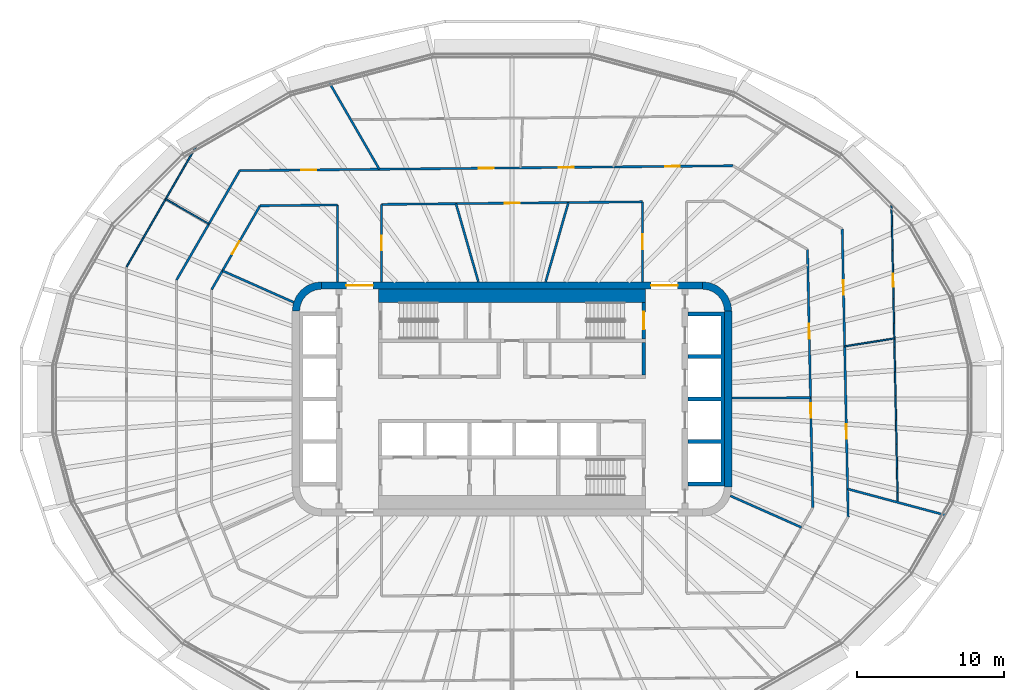
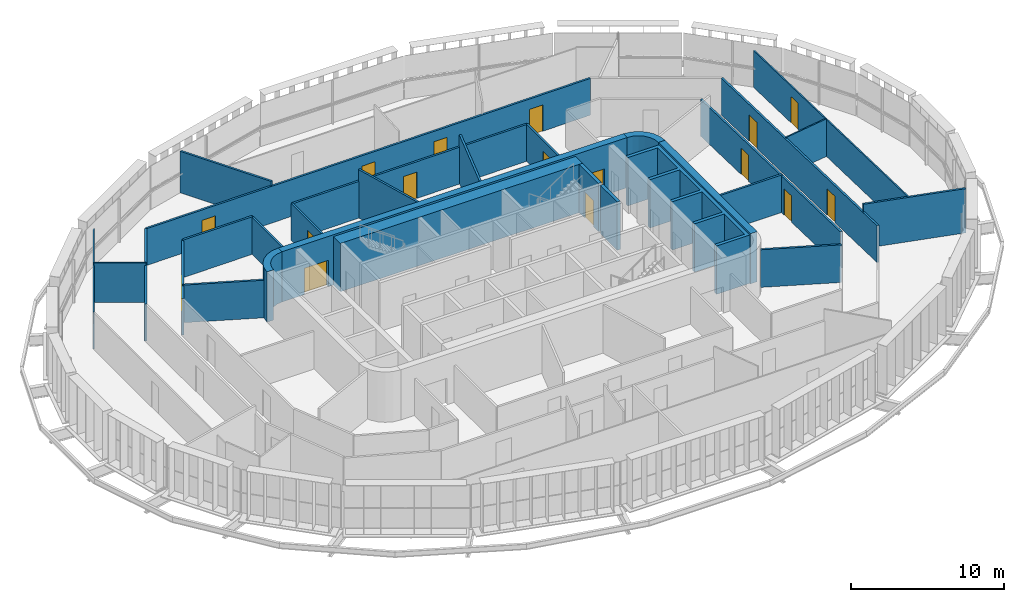
# One storey, part 14 of 23: 29 walls, 16 doors, 16 openings.
"""IFC4 building model written with IfcOpenShell, lengths in metres."""

import ifcopenshell
import ifcopenshell.guid

model = None  # the IFC model being written
_history = None  # IfcOwnerHistory: only IFC2X3 demands one
_inside = {}  # id of a spatial element -> (the spatial element, [elements in it])
_under = {}  # id of a project, library or spatial element -> (it, [spatial elements below it])
_declared = {}  # id of a project -> (the project, [libraries it declares])
_typed = {}  # id of a type object -> (the type object, [elements of that type])
_made_of = {}  # id of a material, layer set ... -> (it, [elements and type objects made of it])


def new_model(schema):
    """Start an empty IFC model of exactly this schema.

    Asked for "IFC4X3", IfcOpenShell would pick the latest addendum, in which some entities
    have other attributes; the version numbers below select the first issue.
    IFC2X3 requires an IfcOwnerHistory on every rooted entity: one is made here for all.
    """
    global model, _history
    if schema == "IFC4X3":
        model = ifcopenshell.file(schema_version=(4, 3, 0, 0))
    else:
        model = ifcopenshell.file(schema=schema)
    _inside.clear()
    _under.clear()
    _declared.clear()
    _typed.clear()
    _made_of.clear()
    _history = None
    if model.schema == "IFC2X3":
        org = make("IfcOrganization", Name="unknown")
        user = make(
            "IfcPersonAndOrganization",
            ThePerson=make("IfcPerson", FamilyName="unknown"),
            TheOrganization=org,
        )
        app = make(
            "IfcApplication",
            ApplicationDeveloper=org,
            Version="unknown",
            ApplicationFullName="unknown",
            ApplicationIdentifier="unknown",
        )
        _history = make(
            "IfcOwnerHistory",
            OwningUser=user,
            OwningApplication=app,
            ChangeAction="ADDED",
            CreationDate=0,
        )
    return model


def make(cls, **values):
    """One entity of the class cls with the attributes given. An attribute that is None is left unset."""
    return model.create_entity(
        cls, **{name: value for name, value in values.items() if value is not None}
    )


def rooted(cls, **values):
    """An entity with a GlobalId (a new one), such as an element, a storey or a relation."""
    return make(cls, GlobalId=ifcopenshell.guid.new(), OwnerHistory=_history, **values)


def si_unit(unit_type, name, prefix=None):
    """IfcSIUnit, for example si_unit("LENGTHUNIT", "METRE", prefix="MILLI")."""
    return make("IfcSIUnit", UnitType=unit_type, Prefix=prefix, Name=name)


def assignment(units):
    """IfcUnitAssignment: the units of a project."""
    return None if units is None else make("IfcUnitAssignment", Units=units)


def point(xyz):
    """IfcCartesianPoint."""
    return None if xyz is None else make("IfcCartesianPoint", Coordinates=xyz)


def direction(xyz):
    """IfcDirection."""
    return None if xyz is None else make("IfcDirection", DirectionRatios=xyz)


def frame(location, z_axis=None, x_axis=None):
    """IfcAxis2Placement3D, a coordinate frame: its origin and axes. An axis left out is left unset."""
    return make(
        "IfcAxis2Placement3D",
        Location=point(location),
        Axis=direction(z_axis),
        RefDirection=direction(x_axis),
    )


def frame_2d(location, x_axis=None):
    """IfcAxis2Placement2D, a coordinate frame in the plane: its origin and x axis."""
    return make(
        "IfcAxis2Placement2D", Location=point(location), RefDirection=direction(x_axis)
    )


def origin():
    """The frame at (0, 0, 0) with its axes left unset."""
    return frame((0.0, 0.0, 0.0))


def place(relative_to, where):
    """IfcLocalPlacement: puts the frame where relative to a parent placement (None: the world)."""
    return make(
        "IfcLocalPlacement", PlacementRelTo=relative_to, RelativePlacement=where
    )


def context(
    kind, dimensions, precision=None, world=None, true_north=None, identifier=None
):
    """IfcGeometricRepresentationContext, for example the 3D "Model" context."""
    return make(
        "IfcGeometricRepresentationContext",
        ContextIdentifier=identifier,
        ContextType=kind,
        CoordinateSpaceDimension=dimensions,
        Precision=precision,
        WorldCoordinateSystem=world,
        TrueNorth=true_north,
    )


def subcontext(parent, identifier, kind, view, scale=None):
    """IfcGeometricRepresentationSubContext, for example "Body" below "Model"."""
    return make(
        "IfcGeometricRepresentationSubContext",
        ContextIdentifier=identifier,
        ContextType=kind,
        ParentContext=parent,
        TargetScale=scale,
        TargetView=view,
    )


def project(units=None, contexts=None):
    """IfcProject with its units and contexts."""
    return rooted(
        "IfcProject",
        Name="project",
        RepresentationContexts=contexts,
        UnitsInContext=assignment(units),
    )


def spatial(cls, under=None, at=None, **own):
    """A site, building, storey or space (cls), placed at a placement, below another one or the project."""
    s = rooted(cls, ObjectPlacement=at, **own)
    if under is not None:
        _under.setdefault(under.id(), (under, []))[1].append(s)
    return s


def polyline(points):
    """IfcPolyline through the points."""
    return make("IfcPolyline", Points=[point(p) for p in points])


def profile(cls, at=None, kind="AREA", **sizes):
    """A parametric profile (cls). Its sizes go by their IFC names, for example OverallWidth=200.0."""
    return make(cls, ProfileType=kind, Position=at, **sizes)


def rectangle(**sizes):
    """IfcRectangleProfileDef."""
    return profile("IfcRectangleProfileDef", **sizes)


def outline(outer, holes=None, kind="AREA"):
    """IfcArbitraryClosedProfileDef: a profile drawn as a closed curve; with holes, ...WithVoids."""
    if holes is None:
        return make("IfcArbitraryClosedProfileDef", ProfileType=kind, OuterCurve=outer)
    return make(
        "IfcArbitraryProfileDefWithVoids",
        ProfileType=kind,
        OuterCurve=outer,
        InnerCurves=holes,
    )


def extrude(swept, where, along, depth):
    """IfcExtrudedAreaSolid: the profile swept, set in the frame where, extruded along a direction by depth."""
    return make(
        "IfcExtrudedAreaSolid",
        SweptArea=swept,
        Position=where,
        ExtrudedDirection=direction(along),
        Depth=depth,
    )


def shape(context_of_items, identifier, shape_type, items):
    """IfcShapeRepresentation: the items that make up one representation, for example the "Body"."""
    return make(
        "IfcShapeRepresentation",
        ContextOfItems=context_of_items,
        RepresentationIdentifier=identifier,
        RepresentationType=shape_type,
        Items=items,
    )


def material(Name=None, Category=None):
    """IfcMaterial."""
    return make("IfcMaterial", Name=Name, Category=Category)


def layer(
    of_material, thickness, ventilated=None, Name=None, Category=None, Priority=None
):
    """IfcMaterialLayer: one layer of a wall or slab, of a material (None: an air gap)."""
    return make(
        "IfcMaterialLayer",
        Material=of_material,
        LayerThickness=thickness,
        IsVentilated=ventilated,
        Name=Name,
        Category=Category,
        Priority=Priority,
    )


def layer_set(layers, Name=None):
    """IfcMaterialLayerSet."""
    return make("IfcMaterialLayerSet", MaterialLayers=layers, LayerSetName=Name)


def made_of(thing, what):
    """Note that an element or type object is made of a material, layer set ...; save() writes the relation."""
    if what is not None:
        _made_of.setdefault(what.id(), (what, []))[1].append(thing)
    return thing


def type_object(cls, material=None, **own):
    """A type object (cls), such as IfcWallType, which elements share."""
    return made_of(rooted(cls, **own), material)


def element(
    cls,
    number,
    at=None,
    inside=None,
    cuts=None,
    type_object=None,
    material=None,
    context=None,
    identifier="Body",
    shape_type=None,
    held_by="IfcProductDefinitionShape",
    body=None,
    shapes=None,
    **own,
):
    """One element of the class cls, such as IfcWall. Its Tag is "e" and its number.

    at: its placement. inside: the storey or other place that contains it. cuts: it is an
    opening in that element (IfcRelVoidsElement). A single representation is given by context,
    identifier, shape_type and body (its items); several are given by shapes. held_by: the class
    of the entity that holds the representations. save() writes the other relations.
    """
    e = rooted(cls, Tag="e%d" % number, ObjectPlacement=at, **own)
    if body is not None:
        shapes = [shape(context, identifier, shape_type, body)]
    if shapes is not None:
        e.Representation = make(held_by, Representations=shapes)
    if inside is not None:
        _inside.setdefault(inside.id(), (inside, []))[1].append(e)
    if cuts is not None:
        rooted(
            "IfcRelVoidsElement", RelatingBuildingElement=cuts, RelatedOpeningElement=e
        )
    if type_object is not None:
        _typed.setdefault(type_object.id(), (type_object, []))[1].append(e)
    return made_of(e, material)


def fill(opening, filler):
    """IfcRelFillsElement: the door or window that sits in an opening."""
    return rooted(
        "IfcRelFillsElement",
        RelatingOpeningElement=opening,
        RelatedBuildingElement=filler,
    )


def aggregate(whole, parts):
    """IfcRelAggregates: a whole, such as a stair, and the parts it consists of."""
    return rooted("IfcRelAggregates", RelatingObject=whole, RelatedObjects=parts)


def save(model, path):
    """Write the relations noted so far, then the file.

    IfcRelAggregates (storeys below a building ...), IfcRelContainedInSpatialStructure (elements
    in a storey), IfcRelDefinesByType, IfcRelAssociatesMaterial and IfcRelDeclares: one each for
    every whole, place, type object, material and project.
    """
    for whole, parts in _under.values():
        aggregate(whole, parts)
    for where, things in _inside.values():
        rooted(
            "IfcRelContainedInSpatialStructure",
            RelatedElements=things,
            RelatingStructure=where,
        )
    for kind, things in _typed.values():
        rooted("IfcRelDefinesByType", RelatedObjects=things, RelatingType=kind)
    for what, things in _made_of.values():
        rooted("IfcRelAssociatesMaterial", RelatedObjects=things, RelatingMaterial=what)
    for by, libraries in _declared.values():
        rooted("IfcRelDeclares", RelatingContext=by, RelatedDefinitions=libraries)
    model.write(path)


model = new_model("IFC4")

# Units and contexts
model_context = context("Model", 3, precision=1e-05, world=origin(), true_north=direction((0.0, 1.0)))
body_context = subcontext(model_context, "Body", "Model", "MODEL_VIEW")
ifc_project = project(units=[si_unit("LENGTHUNIT", "METRE"), si_unit("AREAUNIT", "SQUARE_METRE"), si_unit("VOLUMEUNIT", "CUBIC_METRE"), si_unit("PLANEANGLEUNIT", "RADIAN"), si_unit("MASSUNIT", "GRAM", prefix="KILO")], contexts=[model_context])

# Site, building, storey
site_placement = place(None, origin())
site = spatial("IfcSite", under=ifc_project, at=site_placement, CompositionType="ELEMENT")
building_placement = place(site_placement, origin())
building = spatial("IfcBuilding", under=site, at=building_placement, Name="Sahrelin Media Tower", CompositionType="ELEMENT")
storey_placement = place(building_placement, frame((0.0, 0.0, 157.60009765625)))
storey = spatial("IfcBuildingStorey", under=building, at=storey_placement, Name="L32", CompositionType="ELEMENT", Elevation=157.60009765625)

# Wall, openings, doors
ifc_material_1 = material(Name="Concrete C60/75", Category="concrete")
ifc_layer_1 = layer(ifc_material_1, 0.5)
ifc_layer_set_1 = layer_set([ifc_layer_1], Name="Core wall 500")
wall_type_1 = type_object("IfcWallType", Name="Core wall 500", PredefinedType="SHEAR", material=ifc_layer_set_1)
wall_1_placement = place(storey_placement, frame((-13.0, 7.75, 0.0), z_axis=(0.0, 0.0, 1.0), x_axis=(1.0, 0.0, 0.0)))
wall_1 = element("IfcWall", 1, at=wall_1_placement, inside=storey, type_object=wall_type_1, Name="Core wall N L32", PredefinedType="SHEAR", context=body_context, shape_type="SweptSolid", body=[
    extrude(rectangle(XDim=26.0, YDim=0.5, at=frame_2d((13.0, 0.0))), origin(), (0.0, 0.0, 1.0), 4.0),
])
opening_1_placement = place(wall_1_placement, frame((1.699951171875, 0.0, 0.0)))
opening_1 = element("IfcOpeningElement", 2, at=opening_1_placement, cuts=wall_1, Name="Opening L32-D19", PredefinedType="OPENING", context=body_context, shape_type="SweptSolid", body=[
    extrude(rectangle(XDim=1.800048828125, YDim=2.10009765625, at=frame_2d((0.89990234375, 1.050048828125))), frame((0.0, 0.25, 0.0), z_axis=(0.0, -1.0, 0.0), x_axis=(1.0, 0.0, 0.0)), (0.0, 0.0, 1.0), 0.5),
])
opening_2_placement = place(wall_1_placement, frame((22.5, 0.0, 0.0)))
opening_2 = element("IfcOpeningElement", 3, at=opening_2_placement, cuts=wall_1, Name="Opening L32-D20", PredefinedType="OPENING", context=body_context, shape_type="SweptSolid", body=[
    extrude(rectangle(XDim=1.800048828125, YDim=2.10009765625, at=frame_2d((0.89990234375, 1.050048828125))), frame((0.0, 0.25, 0.0), z_axis=(0.0, -1.0, 0.0), x_axis=(1.0, 0.0, 0.0)), (0.0, 0.0, 1.0), 0.5),
])
ifc_material_2 = material(Name="Steel fire door leaf", Category="steel")
door_type_1 = type_object("IfcDoorType", Name="Lobby double door 1800 x 2100 EI 60", OperationType="DOUBLE_DOOR_SINGLE_SWING", PredefinedType="DOOR", material=ifc_material_2)
door_1_placement = place(opening_1_placement, origin())
door_1 = element("IfcDoor", 4, at=door_1_placement, inside=storey, type_object=door_type_1, Name="Lobby door", OperationType="DOUBLE_DOOR_SINGLE_SWING", OverallHeight=2.10009765625, OverallWidth=1.800048828125, PredefinedType="DOOR", context=body_context, shape_type="SweptSolid", body=[
    extrude(rectangle(XDim=1.800048828125, YDim=2.10009765625, at=frame_2d((0.89990234375, 1.050048828125))), frame((0.0, 0.02490234375, 0.0), z_axis=(0.0, -1.0, 0.0), x_axis=(1.0, 0.0, 0.0)), (0.0, 0.0, 1.0), 0.050048828125),
])
fill(opening_1, door_1)
door_2_placement = place(opening_2_placement, origin())
door_2 = element("IfcDoor", 5, at=door_2_placement, inside=storey, type_object=door_type_1, Name="Lobby door", OperationType="DOUBLE_DOOR_SINGLE_SWING", OverallHeight=2.10009765625, OverallWidth=1.800048828125, PredefinedType="DOOR", context=body_context, shape_type="SweptSolid", body=[
    extrude(rectangle(XDim=1.800048828125, YDim=2.10009765625, at=frame_2d((0.89990234375, 1.050048828125))), frame((0.0, 0.02490234375, 0.0), z_axis=(0.0, -1.0, 0.0), x_axis=(1.0, 0.0, 0.0)), (0.0, 0.0, 1.0), 0.050048828125),
])
fill(opening_2, door_2)

# Walls
wall_2_placement = place(storey_placement, frame((14.75, -6.0, 0.0), z_axis=(0.0, 0.0, 1.0), x_axis=(0.0, 1.0, 0.0)))
element("IfcWall", 6, at=wall_2_placement, inside=storey, type_object=wall_type_1, Name="Core wall E L32", PredefinedType="SHEAR", context=body_context, shape_type="SweptSolid", body=[
    extrude(rectangle(XDim=12.0, YDim=0.5, at=frame_2d((6.0, 0.0))), origin(), (0.0, 0.0, 1.0), 4.0),
])
placement = place(storey_placement, origin())
element("IfcWall", 7, at=placement, inside=storey, type_object=wall_type_1, Name="Core wall corner NE L32", PredefinedType="SHEAR", context=body_context, shape_type="SweptSolid", body=[
    extrude(outline(polyline([(13.0, 8.0), (13.0, 7.49560546875), (13.38720703125, 7.44482421875), (13.747802734375, 7.29541015625), (14.0576171875, 7.0576171875), (14.29541015625, 6.747802734375), (14.44482421875, 6.38720703125), (14.49560546875, 6.0), (15.0, 6.0), (14.931884765625, 6.517578125), (14.732177734375, 7.0), (14.414306640625, 7.414306640625), (14.0, 7.732177734375), (13.517578125, 7.931884765625), (13.0, 8.0)])), origin(), (0.0, 0.0, 1.0), 4.0),
])
element("IfcWall", 8, at=placement, inside=storey, type_object=wall_type_1, Name="Core wall corner NW L32", PredefinedType="SHEAR", context=body_context, shape_type="SweptSolid", body=[
    extrude(outline(polyline([(-15.0, 6.0), (-14.49560546875, 6.0), (-14.44482421875, 6.38720703125), (-14.29541015625, 6.747802734375), (-14.0576171875, 7.0576171875), (-13.747802734375, 7.29541015625), (-13.38720703125, 7.44482421875), (-13.0, 7.49560546875), (-13.0, 8.0), (-13.517578125, 7.931884765625), (-14.0, 7.732177734375), (-14.414306640625, 7.414306640625), (-14.732177734375, 7.0), (-14.931884765625, 6.517578125), (-15.0, 6.0)])), origin(), (0.0, 0.0, 1.0), 4.0),
])
ifc_material_3 = material(Name="Fire-rated gypsum board partition")
ifc_layer_2 = layer(ifc_material_3, 0.25)
ifc_layer_set_2 = layer_set([ifc_layer_2], Name="Fire-rated lobby wall 250")
wall_type_2 = type_object("IfcWallType", Name="Fire-rated lobby wall 250", PredefinedType="PARTITIONING", material=ifc_layer_set_2)
wall_5_placement = place(storey_placement, frame((9.0, 1.64990234375, 0.0), z_axis=(0.0, 0.0, 1.0), x_axis=(0.0, 1.0, 0.0)))
element("IfcWall", 9, at=wall_5_placement, inside=storey, type_object=wall_type_2, Name="Core lobby wall", PredefinedType="PARTITIONING", context=body_context, shape_type="SweptSolid", body=[
    extrude(rectangle(XDim=2.2001953125, YDim=0.25, at=frame_2d((1.10009765625, 0.0))), origin(), (0.0, 0.0, 1.0), 3.849853515625),
])

# Wall, openings, doors
ifc_layer_3 = layer(ifc_material_3, 0.14990234375)
ifc_layer_set_3 = layer_set([ifc_layer_3], Name="Fire-rated partition 150")
wall_type_3 = type_object("IfcWallType", Name="Fire-rated partition 150", PredefinedType="PARTITIONING", material=ifc_layer_set_3)
wall_6_placement = place(storey_placement, frame((20.1669921875, 10.212890625, 0.0), z_axis=(0.0, 0.0, 1.0), x_axis=(0.020610894613, -0.999787572949, 0.0)))
wall_6 = element("IfcWall", 10, at=wall_6_placement, inside=storey, type_object=wall_type_3, Name="Wall", PredefinedType="PARTITIONING", context=body_context, shape_type="SweptSolid", body=[
    extrude(rectangle(XDim=17.637451171875, YDim=0.14990234375, at=frame_2d((8.81884765625, 0.0))), origin(), (0.0, 0.0, 1.0), 2.927001953125),
])
opening_3_placement = place(wall_6_placement, frame((10.5078125, 0.0, 0.0)))
opening_3 = element("IfcOpeningElement", 11, at=opening_3_placement, cuts=wall_6, Name="Opening L32-D27", PredefinedType="OPENING", context=body_context, shape_type="SweptSolid", body=[
    extrude(rectangle(XDim=1.0, YDim=2.10009765625, at=frame_2d((0.5, 1.050048828125))), frame((0.0, 0.074951171875, 0.0), z_axis=(0.0, -1.0, 0.0), x_axis=(1.0, 0.0, 0.0)), (0.0, 0.0, 1.0), 0.14990234375),
])
opening_4_placement = place(wall_6_placement, frame((5.089599609375, 0.0, 0.0)))
opening_4 = element("IfcOpeningElement", 12, at=opening_4_placement, cuts=wall_6, Name="Opening L32-D28", PredefinedType="OPENING", context=body_context, shape_type="SweptSolid", body=[
    extrude(rectangle(XDim=1.0, YDim=2.10009765625, at=frame_2d((0.5, 1.050048828125))), frame((0.0, 0.074951171875, 0.0), z_axis=(0.0, -1.0, 0.0), x_axis=(1.0, 0.0, 0.0)), (0.0, 0.0, 1.0), 0.14990234375),
])
door_type_2 = type_object("IfcDoorType", Name="Fire door 1000 x 2100 EI 60", OperationType="NOTDEFINED", PredefinedType="DOOR", material=ifc_material_2)
door_3_placement = place(opening_3_placement, origin())
door_3 = element("IfcDoor", 13, at=door_3_placement, inside=storey, type_object=door_type_2, Name="Fire door", OperationType="SINGLE_SWING_RIGHT", OverallHeight=2.10009765625, OverallWidth=1.0, PredefinedType="DOOR", context=body_context, shape_type="SweptSolid", body=[
    extrude(rectangle(XDim=1.0, YDim=2.10009765625, at=frame_2d((0.5, 1.050048828125))), frame((0.0, 0.02490234375, 0.0), z_axis=(0.0, -1.0, 0.0), x_axis=(1.0, 0.0, 0.0)), (0.0, 0.0, 1.0), 0.050048828125),
])
fill(opening_3, door_3)
door_4_placement = place(opening_4_placement, origin())
door_4 = element("IfcDoor", 14, at=door_4_placement, inside=storey, type_object=door_type_2, Name="Fire door", OperationType="SINGLE_SWING_LEFT", OverallHeight=2.10009765625, OverallWidth=1.0, PredefinedType="DOOR", context=body_context, shape_type="SweptSolid", body=[
    extrude(rectangle(XDim=1.0, YDim=2.10009765625, at=frame_2d((0.5, 1.050048828125))), frame((0.0, 0.02490234375, 0.0), z_axis=(0.0, -1.0, 0.0), x_axis=(1.0, 0.0, 0.0)), (0.0, 0.0, 1.0), 0.050048828125),
])
fill(opening_4, door_4)

wall_7_placement = place(storey_placement, frame((22.5390625, 11.614990234375, 0.0), z_axis=(0.0, 0.0, 1.0), x_axis=(0.020601506683, -0.99978776644, 0.0)))
wall_7 = element("IfcWall", 15, at=wall_7_placement, inside=storey, type_object=wall_type_3, Name="Wall", PredefinedType="PARTITIONING", context=body_context, shape_type="SweptSolid", body=[
    extrude(rectangle(XDim=19.66015625, YDim=0.14990234375, at=frame_2d((9.830078125, 0.0))), origin(), (0.0, 0.0, 1.0), 2.927001953125),
])
opening_5_placement = place(wall_7_placement, frame((13.34130859375, 0.0, 0.0)))
opening_5 = element("IfcOpeningElement", 16, at=opening_5_placement, cuts=wall_7, Name="Opening L32-D53", PredefinedType="OPENING", context=body_context, shape_type="SweptSolid", body=[
    extrude(rectangle(XDim=1.0, YDim=2.10009765625, at=frame_2d((0.5, 1.050048828125))), frame((0.0, 0.074951171875, 0.0), z_axis=(0.0, -1.0, 0.0), x_axis=(1.0, 0.0, 0.0)), (0.0, 0.0, 1.0), 0.14990234375),
])
opening_6_placement = place(wall_7_placement, frame((3.509521484375, 0.0, 0.0)))
opening_6 = element("IfcOpeningElement", 17, at=opening_6_placement, cuts=wall_7, Name="Opening L32-D54", PredefinedType="OPENING", context=body_context, shape_type="SweptSolid", body=[
    extrude(rectangle(XDim=1.0, YDim=2.10009765625, at=frame_2d((0.5, 1.050048828125))), frame((0.0, 0.074951171875, 0.0), z_axis=(0.0, -1.0, 0.0), x_axis=(1.0, 0.0, 0.0)), (0.0, 0.0, 1.0), 0.14990234375),
])
door_5_placement = place(opening_5_placement, origin())
door_5 = element("IfcDoor", 18, at=door_5_placement, inside=storey, type_object=door_type_2, Name="Fire door", OperationType="SINGLE_SWING_RIGHT", OverallHeight=2.10009765625, OverallWidth=1.0, PredefinedType="DOOR", context=body_context, shape_type="SweptSolid", body=[
    extrude(rectangle(XDim=1.0, YDim=2.10009765625, at=frame_2d((0.5, 1.050048828125))), frame((0.0, 0.02490234375, 0.0), z_axis=(0.0, -1.0, 0.0), x_axis=(1.0, 0.0, 0.0)), (0.0, 0.0, 1.0), 0.050048828125),
])
fill(opening_5, door_5)
door_6_placement = place(opening_6_placement, origin())
door_6 = element("IfcDoor", 19, at=door_6_placement, inside=storey, type_object=door_type_2, Name="Fire door", OperationType="SINGLE_SWING_LEFT", OverallHeight=2.10009765625, OverallWidth=1.0, PredefinedType="DOOR", context=body_context, shape_type="SweptSolid", body=[
    extrude(rectangle(XDim=1.0, YDim=2.10009765625, at=frame_2d((0.5, 1.050048828125))), frame((0.0, 0.02490234375, 0.0), z_axis=(0.0, -1.0, 0.0), x_axis=(1.0, 0.0, 0.0)), (0.0, 0.0, 1.0), 0.050048828125),
])
fill(opening_6, door_6)

# Walls
wall_8_placement = place(storey_placement, frame((-3.826904296875, 13.3330078125, 0.0), z_axis=(0.0, 0.0, 1.0), x_axis=(0.275935525478, -0.961176147113, 0.0)))
element("IfcWall", 20, at=wall_8_placement, inside=storey, type_object=wall_type_3, Name="Wall", PredefinedType="PARTITIONING", context=body_context, shape_type="SweptSolid", body=[
    extrude(rectangle(XDim=5.54833984375, YDim=0.14990234375, at=frame_2d((2.774169921875, 0.0))), origin(), (0.0, 0.0, 1.0), 3.849853515625),
])
wall_9_placement = place(storey_placement, frame((-12.492919921875, 21.638916015625, 0.0), z_axis=(0.0, 0.0, 1.0), x_axis=(0.499964153563, -0.866046098746, 0.0)))
element("IfcWall", 21, at=wall_9_placement, inside=storey, type_object=wall_type_3, Name="Wall", PredefinedType="PARTITIONING", context=body_context, shape_type="SweptSolid", body=[
    extrude(rectangle(XDim=6.87841796875, YDim=0.14990234375, at=frame_2d((3.439208984375, 0.0))), origin(), (0.0, 0.0, 1.0), 3.301513671875),
])
wall_10_placement = place(storey_placement, frame((-19.760009765625, 8.7548828125, 0.0), z_axis=(0.0, 0.0, 1.0), x_axis=(0.91424834547, -0.405154245695, 0.0)))
element("IfcWall", 22, at=wall_10_placement, inside=storey, type_object=wall_type_3, Name="Wall", PredefinedType="PARTITIONING", context=body_context, shape_type="SweptSolid", body=[
    extrude(rectangle(XDim=5.31787109375, YDim=0.14990234375, at=frame_2d((2.658935546875, 0.0))), origin(), (0.0, 0.0, 1.0), 2.994873046875),
])
wall_11_placement = place(storey_placement, frame((14.89501953125, -6.60693359375, 0.0), z_axis=(0.0, 0.0, 1.0), x_axis=(0.914233271379, -0.405188259337, 0.0)))
element("IfcWall", 23, at=wall_11_placement, inside=storey, type_object=wall_type_3, Name="Wall", PredefinedType="PARTITIONING", context=body_context, shape_type="SweptSolid", body=[
    extrude(rectangle(XDim=5.3173828125, YDim=0.14990234375, at=frame_2d((2.65869140625, 0.0))), origin(), (0.0, 0.0, 1.0), 2.994873046875),
])
wall_12_placement = place(storey_placement, frame((22.905029296875, -6.136962890625, 0.0), z_axis=(0.0, 0.0, 1.0), x_axis=(0.965908688021, -0.25888299752, 0.0)))
element("IfcWall", 24, at=wall_12_placement, inside=storey, type_object=wall_type_3, Name="Wall", PredefinedType="PARTITIONING", context=body_context, shape_type="SweptSolid", body=[
    extrude(rectangle(XDim=6.922119140625, YDim=0.14990234375, at=frame_2d((3.4609375, 0.0))), origin(), (0.0, 0.0, 1.0), 3.526611328125),
])
wall_13_placement = place(storey_placement, frame((15.0, 0.06298828125, 0.0), z_axis=(0.0, 0.0, 1.0), x_axis=(0.999990294223, 0.004405843865, 0.0)))
element("IfcWall", 25, at=wall_13_placement, inside=storey, type_object=wall_type_3, Name="Wall", PredefinedType="PARTITIONING", context=body_context, shape_type="SweptSolid", body=[
    extrude(rectangle(XDim=5.375, YDim=0.14990234375, at=frame_2d((2.6875, 0.0))), origin(), (0.0, 0.0, 1.0), 2.994873046875),
])
wall_14_placement = place(storey_placement, frame((-17.194091796875, 13.19091796875, 0.0), z_axis=(0.0, 0.0, 1.0), x_axis=(0.999950853109, 0.009914200296, 0.0)))
element("IfcWall", 26, at=wall_14_placement, inside=storey, type_object=wall_type_3, Name="Wall", PredefinedType="PARTITIONING", context=body_context, shape_type="SweptSolid", body=[
    extrude(rectangle(XDim=5.29443359375, YDim=0.14990234375, at=frame_2d((2.647216796875, 0.0))), origin(), (0.0, 0.0, 1.0), 2.994873046875),
])

# Wall, opening, door
wall_15_placement = place(storey_placement, frame((-8.89990234375, 13.282470703125, 0.0), z_axis=(0.0, 0.0, 1.0), x_axis=(0.999950834077, 0.009916119672, 0.0)))
wall_15 = element("IfcWall", 27, at=wall_15_placement, inside=storey, type_object=wall_type_3, Name="Wall", PredefinedType="PARTITIONING", context=body_context, shape_type="SweptSolid", body=[
    extrude(rectangle(XDim=17.80078125, YDim=0.14990234375, at=frame_2d((8.900390625, 0.0))), origin(), (0.0, 0.0, 1.0), 2.927001953125),
])
opening_7_placement = place(wall_15_placement, frame((8.412109375, 0.0, 0.0)))
opening_7 = element("IfcOpeningElement", 28, at=opening_7_placement, cuts=wall_15, Name="Opening L32-D31", PredefinedType="OPENING", context=body_context, shape_type="SweptSolid", body=[
    extrude(rectangle(XDim=1.0, YDim=2.10009765625, at=frame_2d((0.5, 1.050048828125))), frame((0.0, 0.074951171875, 0.0), z_axis=(0.0, -1.0, 0.0), x_axis=(1.0, 0.0, 0.0)), (0.0, 0.0, 1.0), 0.14990234375),
])
door_7_placement = place(opening_7_placement, origin())
door_7 = element("IfcDoor", 29, at=door_7_placement, inside=storey, type_object=door_type_2, Name="Fire door", OperationType="SINGLE_SWING_LEFT", OverallHeight=2.10009765625, OverallWidth=1.0, PredefinedType="DOOR", context=body_context, shape_type="SweptSolid", body=[
    extrude(rectangle(XDim=1.0, YDim=2.10009765625, at=frame_2d((0.5, 1.050048828125))), frame((0.0, 0.02490234375, 0.0), z_axis=(0.0, -1.0, 0.0), x_axis=(1.0, 0.0, 0.0)), (0.0, 0.0, 1.0), 0.050048828125),
])
fill(opening_7, door_7)

# Wall, openings, doors
wall_16_placement = place(storey_placement, frame((-18.5869140625, 15.5869140625, 0.0), z_axis=(0.0, 0.0, 1.0), x_axis=(0.99995087003, 0.009912493396, 0.0)))
wall_16 = element("IfcWall", 30, at=wall_16_placement, inside=storey, type_object=wall_type_3, Name="Wall", PredefinedType="PARTITIONING", context=body_context, shape_type="SweptSolid", body=[
    extrude(rectangle(XDim=33.668701171875, YDim=0.14990234375, at=frame_2d((16.83447265625, 0.0))), origin(), (0.0, 0.0, 1.0), 2.927001953125),
])
opening_8_placement = place(wall_16_placement, frame((29.033447265625, 0.0, 0.0)))
opening_8 = element("IfcOpeningElement", 31, at=opening_8_placement, cuts=wall_16, Name="Opening L32-D37", PredefinedType="OPENING", context=body_context, shape_type="SweptSolid", body=[
    extrude(rectangle(XDim=1.0, YDim=2.10009765625, at=frame_2d((0.5, 1.050048828125))), frame((0.0, 0.074951171875, 0.0), z_axis=(0.0, -1.0, 0.0), x_axis=(1.0, 0.0, 0.0)), (0.0, 0.0, 1.0), 0.14990234375),
])
opening_9_placement = place(wall_16_placement, frame((21.786865234375, 0.0, 0.0)))
opening_9 = element("IfcOpeningElement", 32, at=opening_9_placement, cuts=wall_16, Name="Opening L32-D38", PredefinedType="OPENING", context=body_context, shape_type="SweptSolid", body=[
    extrude(rectangle(XDim=1.0, YDim=2.10009765625, at=frame_2d((0.5, 1.050048828125))), frame((0.0, 0.074951171875, 0.0), z_axis=(0.0, -1.0, 0.0), x_axis=(1.0, 0.0, 0.0)), (0.0, 0.0, 1.0), 0.14990234375),
])
opening_10_placement = place(wall_16_placement, frame((16.334716796875, 0.0, 0.0)))
opening_10 = element("IfcOpeningElement", 33, at=opening_10_placement, cuts=wall_16, Name="Opening L32-D39", PredefinedType="OPENING", context=body_context, shape_type="SweptSolid", body=[
    extrude(rectangle(XDim=1.0, YDim=2.10009765625, at=frame_2d((0.5, 1.050048828125))), frame((0.0, 0.074951171875, 0.0), z_axis=(0.0, -1.0, 0.0), x_axis=(1.0, 0.0, 0.0)), (0.0, 0.0, 1.0), 0.14990234375),
])
opening_11_placement = place(wall_16_placement, frame((4.21728515625, 0.0, 0.0)))
opening_11 = element("IfcOpeningElement", 34, at=opening_11_placement, cuts=wall_16, Name="Opening L32-D41", PredefinedType="OPENING", context=body_context, shape_type="SweptSolid", body=[
    extrude(rectangle(XDim=1.0, YDim=2.10009765625, at=frame_2d((0.5, 1.050048828125))), frame((0.0, 0.074951171875, 0.0), z_axis=(0.0, -1.0, 0.0), x_axis=(1.0, 0.0, 0.0)), (0.0, 0.0, 1.0), 0.14990234375),
])
door_8_placement = place(opening_8_placement, origin())
door_8 = element("IfcDoor", 35, at=door_8_placement, inside=storey, type_object=door_type_2, Name="Fire door", OperationType="SINGLE_SWING_LEFT", OverallHeight=2.10009765625, OverallWidth=1.0, PredefinedType="DOOR", context=body_context, shape_type="SweptSolid", body=[
    extrude(rectangle(XDim=1.0, YDim=2.10009765625, at=frame_2d((0.5, 1.050048828125))), frame((0.0, 0.02490234375, 0.0), z_axis=(0.0, -1.0, 0.0), x_axis=(1.0, 0.0, 0.0)), (0.0, 0.0, 1.0), 0.050048828125),
])
fill(opening_8, door_8)
door_9_placement = place(opening_9_placement, origin())
door_9 = element("IfcDoor", 36, at=door_9_placement, inside=storey, type_object=door_type_2, Name="Fire door", OperationType="SINGLE_SWING_LEFT", OverallHeight=2.10009765625, OverallWidth=1.0, PredefinedType="DOOR", context=body_context, shape_type="SweptSolid", body=[
    extrude(rectangle(XDim=1.0, YDim=2.10009765625, at=frame_2d((0.5, 1.050048828125))), frame((0.0, 0.02490234375, 0.0), z_axis=(0.0, -1.0, 0.0), x_axis=(1.0, 0.0, 0.0)), (0.0, 0.0, 1.0), 0.050048828125),
])
fill(opening_9, door_9)
door_10_placement = place(opening_10_placement, origin())
door_10 = element("IfcDoor", 37, at=door_10_placement, inside=storey, type_object=door_type_2, Name="Fire door", OperationType="SINGLE_SWING_LEFT", OverallHeight=2.10009765625, OverallWidth=1.0, PredefinedType="DOOR", context=body_context, shape_type="SweptSolid", body=[
    extrude(rectangle(XDim=1.0, YDim=2.10009765625, at=frame_2d((0.5, 1.050048828125))), frame((0.0, 0.02490234375, 0.0), z_axis=(0.0, -1.0, 0.0), x_axis=(1.0, 0.0, 0.0)), (0.0, 0.0, 1.0), 0.050048828125),
])
fill(opening_10, door_10)
door_11_placement = place(opening_11_placement, origin())
door_11 = element("IfcDoor", 38, at=door_11_placement, inside=storey, type_object=door_type_2, Name="Fire door", OperationType="SINGLE_SWING_LEFT", OverallHeight=2.10009765625, OverallWidth=1.0, PredefinedType="DOOR", context=body_context, shape_type="SweptSolid", body=[
    extrude(rectangle(XDim=1.0, YDim=2.10009765625, at=frame_2d((0.5, 1.050048828125))), frame((0.0, 0.02490234375, 0.0), z_axis=(0.0, -1.0, 0.0), x_axis=(1.0, 0.0, 0.0)), (0.0, 0.0, 1.0), 0.050048828125),
])
fill(opening_11, door_11)

# Wall, opening, door
wall_17_placement = place(storey_placement, frame((-20.5, 7.47412109375, 0.0), z_axis=(0.0, 0.0, 1.0), x_axis=(0.500012665616, 0.866018091164, 0.0)))
wall_17 = element("IfcWall", 39, at=wall_17_placement, inside=storey, type_object=wall_type_3, Name="Wall", PredefinedType="PARTITIONING", context=body_context, shape_type="SweptSolid", body=[
    extrude(rectangle(XDim=6.602294921875, YDim=0.14990234375, at=frame_2d((3.30126953125, 0.0))), origin(), (0.0, 0.0, 1.0), 2.927001953125),
])
opening_12_placement = place(wall_17_placement, frame((2.802978515625, 0.0, 0.0)))
opening_12 = element("IfcOpeningElement", 40, at=opening_12_placement, cuts=wall_17, Name="Opening L32-D33", PredefinedType="OPENING", context=body_context, shape_type="SweptSolid", body=[
    extrude(rectangle(XDim=1.0, YDim=2.10009765625, at=frame_2d((0.5, 1.050048828125))), frame((0.0, 0.074951171875, 0.0), z_axis=(0.0, -1.0, 0.0), x_axis=(1.0, 0.0, 0.0)), (0.0, 0.0, 1.0), 0.14990234375),
])
door_12_placement = place(opening_12_placement, origin())
door_12 = element("IfcDoor", 41, at=door_12_placement, inside=storey, type_object=door_type_2, Name="Fire door", OperationType="SINGLE_SWING_LEFT", OverallHeight=2.10009765625, OverallWidth=1.0, PredefinedType="DOOR", context=body_context, shape_type="SweptSolid", body=[
    extrude(rectangle(XDim=1.0, YDim=2.10009765625, at=frame_2d((0.5, 1.050048828125))), frame((0.0, 0.02490234375, 0.0), z_axis=(0.0, -1.0, 0.0), x_axis=(1.0, 0.0, 0.0)), (0.0, 0.0, 1.0), 0.050048828125),
])
fill(opening_12, door_12)

# Walls
wall_18_placement = place(storey_placement, frame((-22.900146484375, 8.116943359375, 0.0), z_axis=(0.0, 0.0, 1.0), x_axis=(0.5000050195, 0.866022505755, 0.0)))
element("IfcWall", 42, at=wall_18_placement, inside=storey, type_object=wall_type_3, Name="Wall", PredefinedType="PARTITIONING", context=body_context, shape_type="SweptSolid", body=[
    extrude(rectangle(XDim=8.6259765625, YDim=0.14990234375, at=frame_2d((4.31298828125, 0.0))), origin(), (0.0, 0.0, 1.0), 2.927001953125),
])
wall_19_placement = place(storey_placement, frame((2.2958984375, 8.0, 0.0), z_axis=(0.0, 0.0, 1.0), x_axis=(0.275958345059, 0.961169595749, 0.0)))
element("IfcWall", 43, at=wall_19_placement, inside=storey, type_object=wall_type_3, Name="Wall", PredefinedType="PARTITIONING", context=body_context, shape_type="SweptSolid", body=[
    extrude(rectangle(XDim=5.62841796875, YDim=0.14990234375, at=frame_2d((2.814208984375, 0.0))), origin(), (0.0, 0.0, 1.0), 3.849853515625),
])

# Wall, opening, door
wall_20_placement = place(storey_placement, frame((8.89990234375, 8.0, 0.0), z_axis=(0.0, 0.0, 1.0), x_axis=(0.0, 1.0, 0.0)))
wall_20 = element("IfcWall", 44, at=wall_20_placement, inside=storey, type_object=wall_type_3, Name="Wall", PredefinedType="PARTITIONING", context=body_context, shape_type="SweptSolid", body=[
    extrude(rectangle(XDim=5.4599609375, YDim=0.14990234375, at=frame_2d((2.72998046875, 0.0))), origin(), (0.0, 0.0, 1.0), 2.927001953125),
])
opening_13_placement = place(wall_20_placement, frame((2.22998046875, 0.0, 0.0)))
opening_13 = element("IfcOpeningElement", 45, at=opening_13_placement, cuts=wall_20, Name="Opening L32-D30", PredefinedType="OPENING", context=body_context, shape_type="SweptSolid", body=[
    extrude(rectangle(XDim=1.0, YDim=2.10009765625, at=frame_2d((0.5, 1.050048828125))), frame((0.0, 0.074951171875, 0.0), z_axis=(0.0, -1.0, 0.0), x_axis=(1.0, 0.0, 0.0)), (0.0, 0.0, 1.0), 0.14990234375),
])
door_13_placement = place(opening_13_placement, origin())
door_13 = element("IfcDoor", 46, at=door_13_placement, inside=storey, type_object=door_type_2, Name="Fire door", OperationType="SINGLE_SWING_LEFT", OverallHeight=2.10009765625, OverallWidth=1.0, PredefinedType="DOOR", context=body_context, shape_type="SweptSolid", body=[
    extrude(rectangle(XDim=1.0, YDim=2.10009765625, at=frame_2d((0.5, 1.050048828125))), frame((0.0, 0.02490234375, 0.0), z_axis=(0.0, -1.0, 0.0), x_axis=(1.0, 0.0, 0.0)), (0.0, 0.0, 1.0), 0.050048828125),
])
fill(opening_13, door_13)

wall_21_placement = place(storey_placement, frame((-8.89990234375, 8.0, 0.0), z_axis=(0.0, 0.0, 1.0), x_axis=(0.0, 1.0, 0.0)))
wall_21 = element("IfcWall", 47, at=wall_21_placement, inside=storey, type_object=wall_type_3, Name="Wall", PredefinedType="PARTITIONING", context=body_context, shape_type="SweptSolid", body=[
    extrude(rectangle(XDim=5.282958984375, YDim=0.14990234375, at=frame_2d((2.6416015625, 0.0))), origin(), (0.0, 0.0, 1.0), 2.927001953125),
])
opening_14_placement = place(wall_21_placement, frame((2.1416015625, 0.0, 0.0)))
opening_14 = element("IfcOpeningElement", 48, at=opening_14_placement, cuts=wall_21, Name="Opening L32-D32", PredefinedType="OPENING", context=body_context, shape_type="SweptSolid", body=[
    extrude(rectangle(XDim=1.0, YDim=2.10009765625, at=frame_2d((0.5, 1.050048828125))), frame((0.0, 0.074951171875, 0.0), z_axis=(0.0, -1.0, 0.0), x_axis=(1.0, 0.0, 0.0)), (0.0, 0.0, 1.0), 0.14990234375),
])
door_14_placement = place(opening_14_placement, origin())
door_14 = element("IfcDoor", 49, at=door_14_placement, inside=storey, type_object=door_type_2, Name="Fire door", OperationType="SINGLE_SWING_RIGHT", OverallHeight=2.10009765625, OverallWidth=1.0, PredefinedType="DOOR", context=body_context, shape_type="SweptSolid", body=[
    extrude(rectangle(XDim=1.0, YDim=2.10009765625, at=frame_2d((0.5, 1.050048828125))), frame((0.0, 0.02490234375, 0.0), z_axis=(0.0, -1.0, 0.0), x_axis=(1.0, 0.0, 0.0)), (0.0, 0.0, 1.0), 0.050048828125),
])
fill(opening_14, door_14)

# Walls
wall_22_placement = place(storey_placement, frame((-11.89990234375, 8.0, 0.0), z_axis=(0.0, 0.0, 1.0), x_axis=(0.0, 1.0, 0.0)))
element("IfcWall", 50, at=wall_22_placement, inside=storey, type_object=wall_type_3, Name="Wall", PredefinedType="PARTITIONING", context=body_context, shape_type="SweptSolid", body=[
    extrude(rectangle(XDim=5.242919921875, YDim=0.14990234375, at=frame_2d((2.62158203125, 0.0))), origin(), (0.0, 0.0, 1.0), 2.927001953125),
])
ifc_layer_4 = layer(ifc_material_1, 0.25)
ifc_layer_set_4 = layer_set([ifc_layer_4], Name="Lift shaft wall 250")
wall_type_4 = type_object("IfcWallType", Name="Lift shaft wall 250", PredefinedType="SOLIDWALL", material=ifc_layer_set_4)
element("IfcWall", 51, at=placement, inside=storey, type_object=wall_type_4, Name="Lift shaft wall", PredefinedType="SOLIDWALL", context=body_context, shape_type="SweptSolid", body=[
    extrude(outline(polyline([(12.0, -5.675048828125), (12.0, -5.925048828125), (14.25, -5.925048828125), (14.5, -5.925048828125), (14.5, -5.675048828125), (14.5, -3.02490234375), (14.5, -2.77490234375), (14.5, -0.125), (14.5, 0.125), (14.5, 2.77490234375), (14.5, 3.02490234375), (14.5, 5.675048828125), (14.5, 5.925048828125), (14.25, 5.925048828125), (12.0, 5.925048828125), (12.0, 5.675048828125), (14.25, 5.675048828125), (14.25, 3.02490234375), (12.0, 3.02490234375), (12.0, 2.77490234375), (14.25, 2.77490234375), (14.25, 0.125), (12.0, 0.125), (12.0, -0.125), (14.25, -0.125), (14.25, -2.77490234375), (12.0, -2.77490234375), (12.0, -3.02490234375), (14.25, -3.02490234375), (14.25, -5.675048828125), (12.0, -5.675048828125)])), origin(), (0.0, 0.0, 1.0), 3.849853515625),
])

# Wall, opening, door
ifc_material_4 = material(Name="Gypsum board partition")
ifc_layer_5 = layer(ifc_material_4, 0.10009765625)
ifc_layer_set_5 = layer_set([ifc_layer_5], Name="Partition 100")
wall_type_5 = type_object("IfcWallType", Name="Partition 100", PredefinedType="PARTITIONING", material=ifc_layer_set_5)
wall_24_placement = place(storey_placement, frame((25.905029296875, 13.294921875, 0.0), z_axis=(0.0, 0.0, 1.0), x_axis=(0.020631727872, -0.999787143249, 0.0)))
wall_24 = element("IfcWall", 52, at=wall_24_placement, inside=storey, type_object=wall_type_5, Name="Wall", PredefinedType="PARTITIONING", context=body_context, shape_type="SweptSolid", body=[
    extrude(rectangle(XDim=20.353271484375, YDim=0.10009765625, at=frame_2d((10.1767578125, 0.0))), origin(), (0.0, 0.0, 1.0), 2.927001953125),
])
opening_15_placement = place(wall_24_placement, frame((4.7373046875, 0.0, 0.0)))
opening_15 = element("IfcOpeningElement", 53, at=opening_15_placement, cuts=wall_24, Name="Opening L32-D55", PredefinedType="OPENING", context=body_context, shape_type="SweptSolid", body=[
    extrude(rectangle(XDim=0.89990234375, YDim=2.10009765625, at=frame_2d((0.449951171875, 1.050048828125))), frame((0.0, 0.050048828125, 0.0), z_axis=(0.0, -1.0, 0.0), x_axis=(1.0, 0.0, 0.0)), (0.0, 0.0, 1.0), 0.10009765625),
])
ifc_material_5 = material(Name="Timber door leaf", Category="wood")
door_type_3 = type_object("IfcDoorType", Name="Single door 900 x 2100", OperationType="NOTDEFINED", PredefinedType="DOOR", material=ifc_material_5)
door_15_placement = place(opening_15_placement, origin())
door_15 = element("IfcDoor", 54, at=door_15_placement, inside=storey, type_object=door_type_3, Name="Single door", OperationType="SINGLE_SWING_LEFT", OverallHeight=2.10009765625, OverallWidth=0.89990234375, PredefinedType="DOOR", context=body_context, shape_type="SweptSolid", body=[
    extrude(rectangle(XDim=0.89990234375, YDim=2.10009765625, at=frame_2d((0.449951171875, 1.050048828125))), frame((0.0, 0.02490234375, 0.0), z_axis=(0.0, -1.0, 0.0), x_axis=(1.0, 0.0, 0.0)), (0.0, 0.0, 1.0), 0.050048828125),
])
fill(opening_15, door_15)

# Walls
wall_25_placement = place(storey_placement, frame((-23.634033203125, 13.64501953125, 0.0), z_axis=(0.0, 0.0, 1.0), x_axis=(0.866002606077, -0.500039484709, 0.0)))
element("IfcWall", 55, at=wall_25_placement, inside=storey, type_object=wall_type_5, Name="Wall", PredefinedType="PARTITIONING", context=body_context, shape_type="SweptSolid", body=[
    extrude(rectangle(XDim=3.399658203125, YDim=0.10009765625, at=frame_2d((1.69970703125, 0.0))), origin(), (0.0, 0.0, 1.0), 3.15185546875),
])
wall_26_placement = place(storey_placement, frame((22.7041015625, 3.595947265625, 0.0), z_axis=(0.0, 0.0, 1.0), x_axis=(0.987679194201, 0.156492202178, 0.0)))
element("IfcWall", 56, at=wall_26_placement, inside=storey, type_object=wall_type_5, Name="Wall", PredefinedType="PARTITIONING", context=body_context, shape_type="SweptSolid", body=[
    extrude(rectangle(XDim=3.43212890625, YDim=0.10009765625, at=frame_2d((1.716064453125, 0.0))), origin(), (0.0, 0.0, 1.0), 2.994873046875),
])
wall_27_placement = place(storey_placement, frame((-26.300048828125, 9.028076171875, 0.0), z_axis=(0.0, 0.0, 1.0), x_axis=(0.499994996542, 0.866028292513, 0.0)))
element("IfcWall", 57, at=wall_27_placement, inside=storey, type_object=wall_type_5, Name="Wall", PredefinedType="PARTITIONING", context=body_context, shape_type="SweptSolid", body=[
    extrude(rectangle(XDim=9.48583984375, YDim=0.10009765625, at=frame_2d((4.742919921875, 0.0))), origin(), (0.0, 0.0, 1.0), 2.927001953125),
])

# Wall, opening, door
ifc_layer_6 = layer(ifc_material_1, 0.25)
ifc_layer_set_6 = layer_set([ifc_layer_6], Name="Stair enclosure wall 250")
wall_type_6 = type_object("IfcWallType", Name="Stair enclosure wall 250", PredefinedType="SOLIDWALL", material=ifc_layer_set_6)
wall_28_placement = place(storey_placement, frame((9.0, 4.10009765625, 0.0), z_axis=(0.0, 0.0, 1.0), x_axis=(0.0, 1.0, 0.0)))
wall_28 = element("IfcWall", 58, at=wall_28_placement, inside=storey, type_object=wall_type_6, Name="Stair enclosure wall", PredefinedType="SOLIDWALL", context=body_context, shape_type="SweptSolid", body=[
    extrude(rectangle(XDim=2.5, YDim=0.25, at=frame_2d((1.25, 0.0))), origin(), (0.0, 0.0, 1.0), 3.849853515625),
])
opening_16_placement = place(wall_28_placement, frame((0.64990234375, 0.0, 0.0)))
opening_16 = element("IfcOpeningElement", 59, at=opening_16_placement, cuts=wall_28, Name="Opening L32-D02", PredefinedType="OPENING", context=body_context, shape_type="SweptSolid", body=[
    extrude(rectangle(XDim=1.199951171875, YDim=2.10009765625, at=frame_2d((0.60009765625, 1.050048828125))), frame((0.0, 0.125, 0.0), z_axis=(0.0, -1.0, 0.0), x_axis=(1.0, 0.0, 0.0)), (0.0, 0.0, 1.0), 0.25),
])
door_type_4 = type_object("IfcDoorType", Name="Stair door 1200 x 2100 EI 120", OperationType="NOTDEFINED", PredefinedType="DOOR", material=ifc_material_2)
door_16_placement = place(opening_16_placement, origin())
door_16 = element("IfcDoor", 60, at=door_16_placement, inside=storey, type_object=door_type_4, Name="Stair door ST3", OperationType="SINGLE_SWING_LEFT", OverallHeight=2.10009765625, OverallWidth=1.199951171875, PredefinedType="DOOR", context=body_context, shape_type="SweptSolid", body=[
    extrude(rectangle(XDim=1.199951171875, YDim=2.10009765625, at=frame_2d((0.60009765625, 1.050048828125))), frame((0.0, 0.02490234375, 0.0), z_axis=(0.0, -1.0, 0.0), x_axis=(1.0, 0.0, 0.0)), (0.0, 0.0, 1.0), 0.050048828125),
])
fill(opening_16, door_16)

# Wall
ifc_layer_7 = layer(ifc_material_1, 0.89990234375)
ifc_layer_set_7 = layer_set([ifc_layer_7], Name="Stair enclosure wall 900")
wall_type_7 = type_object("IfcWallType", Name="Stair enclosure wall 900", PredefinedType="SOLIDWALL", material=ifc_layer_set_7)
wall_29_placement = place(storey_placement, frame((-9.125, 7.050048828125, 0.0), z_axis=(0.0, 0.0, 1.0), x_axis=(1.0, 0.0, 0.0)))
element("IfcWall", 61, at=wall_29_placement, inside=storey, type_object=wall_type_7, Name="Stair enclosure wall", PredefinedType="SOLIDWALL", context=body_context, shape_type="SweptSolid", body=[
    extrude(rectangle(XDim=18.25, YDim=0.89990234375, at=frame_2d((9.125, 0.0))), origin(), (0.0, 0.0, 1.0), 3.849853515625),
])

save(model, "model.ifc")
